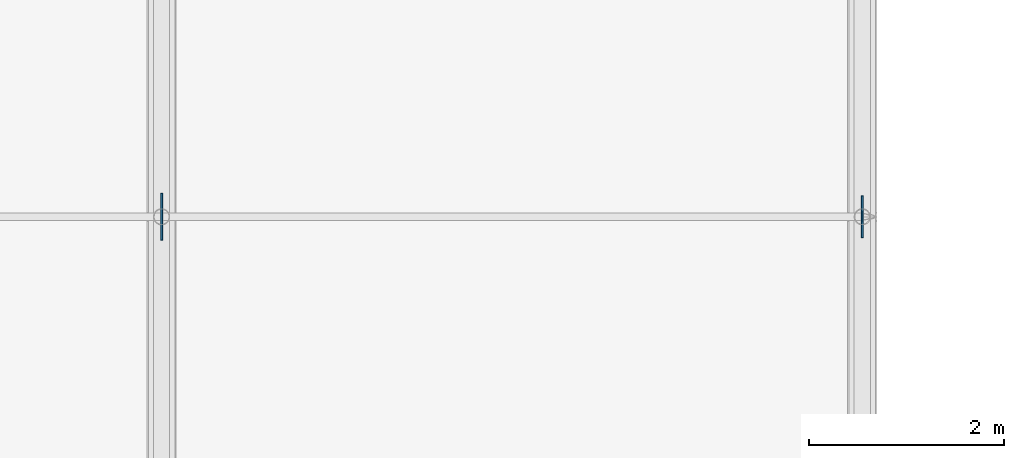
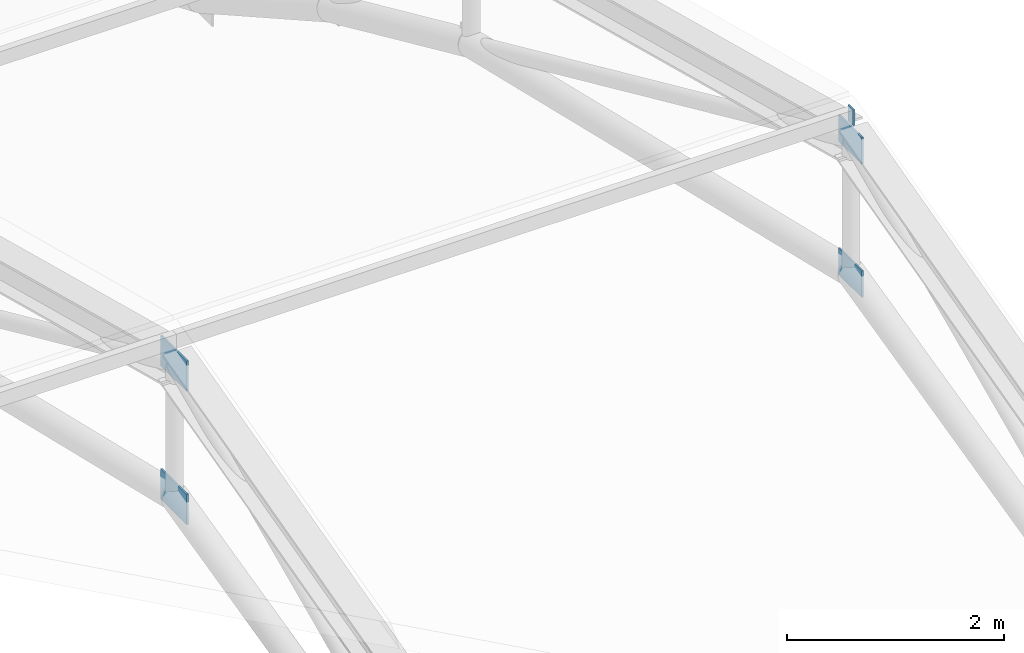
# One storey, part 42 of 63: 5 plates.
"""IFC4 building model written with IfcOpenShell, lengths in metres."""

from ifc_helpers import new_model, si_unit, direction, frame, origin, origin_2d, place, context, subcontext, project, spatial, rectangle, extrude, material, layer, layer_set, type_object, element, save


model = new_model("IFC4")

# Units and contexts
model_context = context("Model", 3, precision=1e-05, world=origin(), true_north=direction((0.0, 1.0)))
body_context = subcontext(model_context, "Body", "Model", "MODEL_VIEW")
ifc_project = project(units=[si_unit("LENGTHUNIT", "METRE"), si_unit("AREAUNIT", "SQUARE_METRE"), si_unit("VOLUMEUNIT", "CUBIC_METRE"), si_unit("PLANEANGLEUNIT", "RADIAN"), si_unit("MASSUNIT", "GRAM", prefix="KILO")], contexts=[model_context])

# Site, building, storey
site_placement = place(None, origin())
site = spatial("IfcSite", under=ifc_project, at=site_placement, CompositionType="ELEMENT")
building_placement = place(site_placement, origin())
building = spatial("IfcBuilding", under=site, at=building_placement, Name="Solvadek Multi-Sports Hall", CompositionType="ELEMENT")
storey_placement = place(building_placement, frame((0.0, 0.0, 19.199951171875)))
storey = spatial("IfcBuildingStorey", under=building, at=storey_placement, Name="RF", CompositionType="ELEMENT", Elevation=19.199951171875)

# Plates
ifc_material = material(Name="Steel E350 (350 MPa)", Category="steel")
ifc_layer_1 = layer(ifc_material, 0.01611328125, Name="Steel E350 (350 MPa)")
ifc_layer_set_1 = layer_set([ifc_layer_1], Name="Steel E350 (350 MPa)")
plate_type_1 = type_object("IfcPlateType", Name="STR-PLT-CAP16", PredefinedType="USERDEFINED", material=ifc_layer_set_1)
plate_placement = place(storey_placement, frame((57.60400390625, 63.60009765625, 2.080078125), z_axis=(0.0, 0.0, 1.0), x_axis=(1.0, 0.0, 0.0)))
element("IfcPlate", 1, at=plate_placement, inside=storey, type_object=plate_type_1, Name="V4 Purlin End Cap Plate #52", ObjectType="BASE_PLATE", PredefinedType="USERDEFINED", context=body_context, shape_type="SweptSolid", body=[
    extrude(rectangle(XDim=0.01611328125, YDim=0.10009765625, at=origin_2d()), origin(), (0.0, 0.0, 1.0), 0.179931640625),
])
ifc_layer_2 = layer(ifc_material, 0.01806640625, Name="Steel E350 (350 MPa)")
ifc_layer_set_2 = layer_set([ifc_layer_2], Name="Steel E350 (350 MPa)")
plate_type_2 = type_object("IfcPlateType", Name="STR-PLT-GUS430", PredefinedType="USERDEFINED", material=ifc_layer_set_2)
for number, where, z_axis, x_axis, name in (
    (2, (57.60009765625, 63.60009765625, 1.75), (0.0, 0.0, 1.0), (0.0, 1.0, 0.0), "V4 Truss Top Gusset Plate #249"),
    (3, (57.60009765625, 63.60009765625, 0.25), (0.0, 0.0, 1.0), (0.0, 1.0, 0.0), "V4 Truss Bottom Gusset Plate #250"),
):
    element("IfcPlate", number, at=place(storey_placement, frame(where, z_axis=z_axis, x_axis=x_axis)), inside=storey, type_object=plate_type_2, Name=name, ObjectType="GUSSET_PLATE", PredefinedType="USERDEFINED", context=body_context, shape_type="SweptSolid", body=[
        extrude(rectangle(XDim=0.429931640625, YDim=0.01806640625, at=origin_2d()), origin(), (0.0, 0.0, 1.0), 0.300048828125),
    ])
ifc_layer_3 = layer(ifc_material, 0.02001953125, Name="Steel E350 (350 MPa)")
ifc_layer_set_3 = layer_set([ifc_layer_3], Name="Steel E350 (350 MPa)")
plate_type_3 = type_object("IfcPlateType", Name="STR-PLT-GUS480", PredefinedType="USERDEFINED", material=ifc_layer_set_3)
for number, where, z_axis, x_axis, name in (
    (4, (50.39990234375, 63.60009765625, 1.72998046875), (0.0, 0.0, 1.0), (0.0, 1.0, 0.0), "V4 Truss Top Gusset Plate #231"),
    (5, (50.39990234375, 63.60009765625, 0.22998046875), (0.0, 0.0, 1.0), (0.0, 1.0, 0.0), "V4 Truss Bottom Gusset Plate #232"),
):
    element("IfcPlate", number, at=place(storey_placement, frame(where, z_axis=z_axis, x_axis=x_axis)), inside=storey, type_object=plate_type_3, Name=name, ObjectType="GUSSET_PLATE", PredefinedType="USERDEFINED", context=body_context, shape_type="SweptSolid", body=[
        extrude(rectangle(XDim=0.47998046875, YDim=0.02001953125, at=origin_2d()), origin(), (0.0, 0.0, 1.0), 0.340087890625),
    ])

save(model, "model.ifc")
